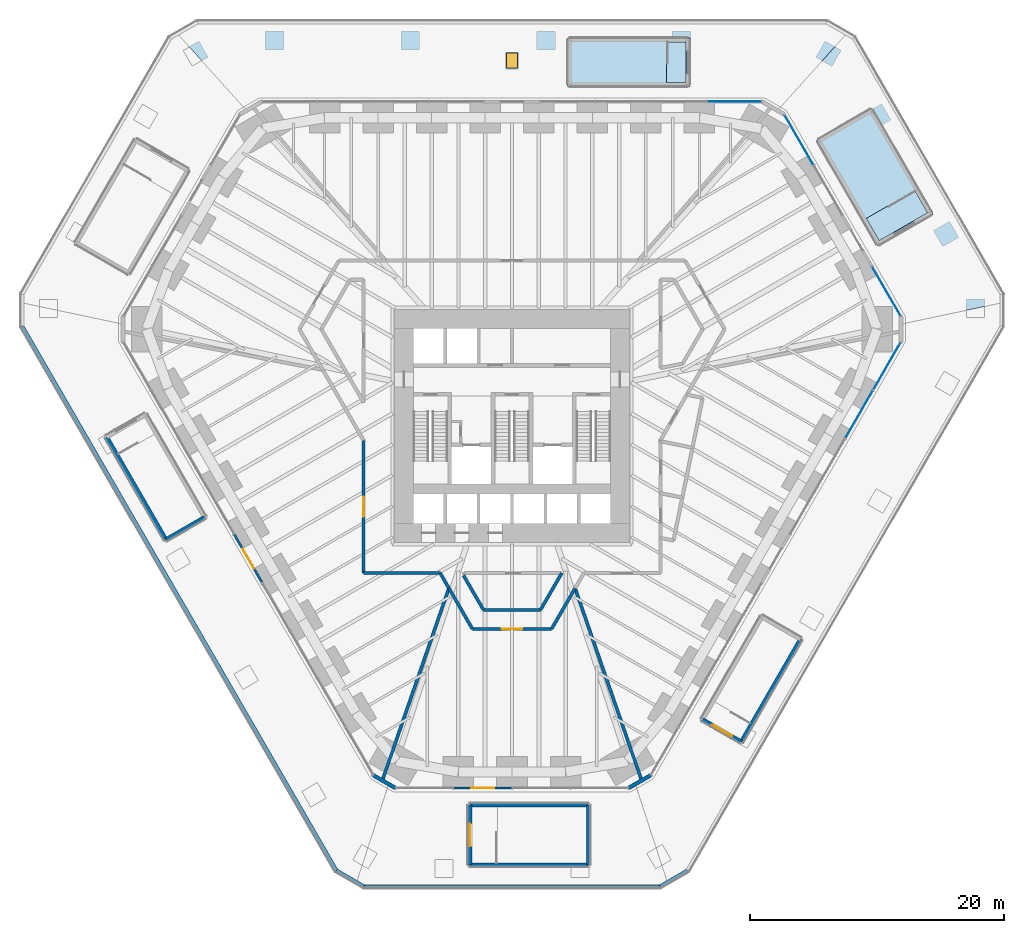
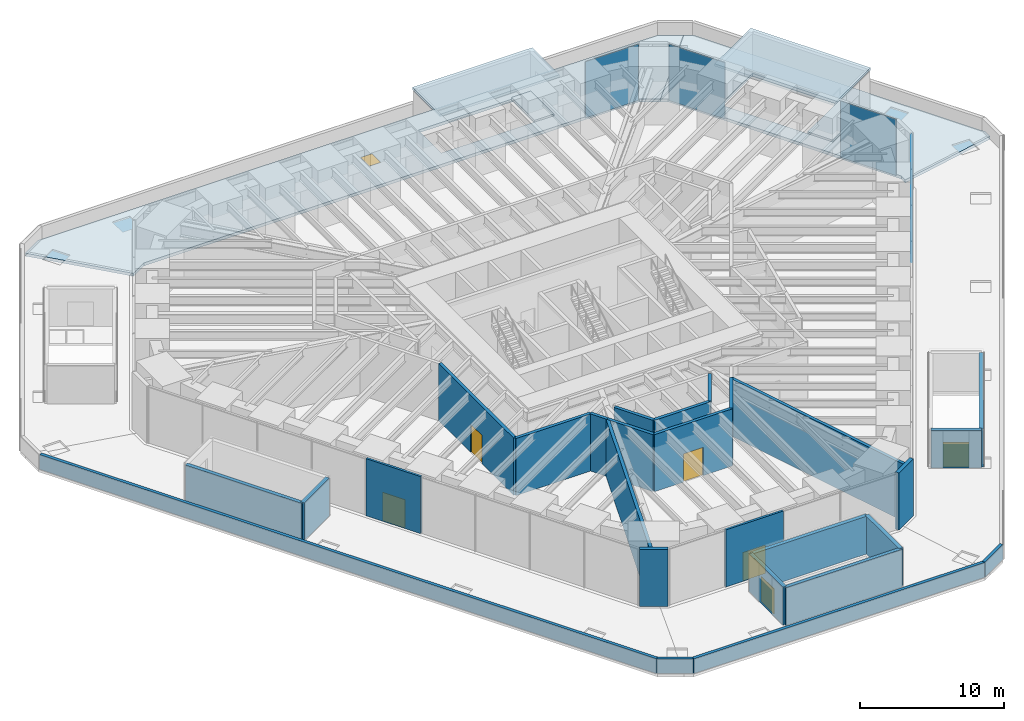
# One storey, part 10 of 20: 27 walls, 6 doors, 6 slabs, 5 plates, 1 window, 7 openings, 4 elements without a shape of their own.
"""IFC4 building model written with IfcOpenShell, lengths in metres."""

from ifc_helpers import new_model, si_unit, direction, frame, frame_2d, origin, origin_2d, place, context, subcontext, project, spatial, polyline, rectangle, outline, extrude, material, layer, layer_set, type_object, element, fill, aggregate, save


model = new_model("IFC4")

# Units and contexts
model_context = context("Model", 3, precision=1e-05, world=origin(), true_north=direction((0.0, 1.0)))
body_context = subcontext(model_context, "Body", "Model", "MODEL_VIEW")
ifc_project = project(units=[si_unit("LENGTHUNIT", "METRE"), si_unit("AREAUNIT", "SQUARE_METRE"), si_unit("VOLUMEUNIT", "CUBIC_METRE"), si_unit("PLANEANGLEUNIT", "RADIAN"), si_unit("MASSUNIT", "GRAM", prefix="KILO")], contexts=[model_context])

# Site, building, storey
site_placement = place(None, origin())
site = spatial("IfcSite", under=ifc_project, at=site_placement, CompositionType="ELEMENT")
building_placement = place(site_placement, origin())
building = spatial("IfcBuilding", under=site, at=building_placement, Name="Sandreach Pilgrim Tower", CompositionType="ELEMENT")
storey_placement = place(building_placement, frame((0.0, 0.0, 18.0)))
storey = spatial("IfcBuildingStorey", under=building, at=storey_placement, Name="L03", CompositionType="ELEMENT", Elevation=18.0)

# Curtain wall, plate
ifc_material_1 = material(Name="Aluminium framed curtain wall", Category="aluminium")
curtain_wall_type = type_object("IfcCurtainWallType", Name="Podium storefront curtain wall", PredefinedType="NOTDEFINED", material=ifc_material_1)
curtain_wall_1_placement = place(storey_placement, origin())
curtain_wall_1 = element("IfcCurtainWall", 1, at=curtain_wall_1_placement, inside=storey, type_object=curtain_wall_type, Name="CW-P L03 NB", PredefinedType="NOTDEFINED")
ifc_material_2 = material(Name="Laminated safety insulating glass unit 10.76 laminated + 16 argon + 10.76 laminated", Category="glass")
ifc_layer_1 = layer(ifc_material_2, 0.0380859375)
ifc_layer_set_1 = layer_set([ifc_layer_1], Name="CW-P panel")
plate_type = type_object("IfcPlateType", Name="CW-P panel", PredefinedType="CURTAIN_PANEL", material=ifc_layer_set_1)
plate_1_placement = place(storey_placement, frame((17.46875, 23.94873046875, 0.0), z_axis=(0.0, 0.0, 1.0), x_axis=(1.0, 0.0, 0.0)))
plate_1 = element("IfcPlate", 2, at=plate_1_placement, type_object=plate_type, Name="CW-P panel 4", PredefinedType="CURTAIN_PANEL", context=body_context, shape_type="SweptSolid", body=[
    extrude(rectangle(XDim=4.2666015625, YDim=0.0380859375, at=origin_2d()), origin(), (0.0, 0.0, 1.0), 4.77001953125),
])
aggregate(curtain_wall_1, [plate_1])

curtain_wall_2_placement = place(storey_placement, origin())
curtain_wall_2 = element("IfcCurtainWall", 3, at=curtain_wall_2_placement, inside=storey, type_object=curtain_wall_type, Name="CW-P L03 NEA", PredefinedType="NOTDEFINED")
plate_2_placement = place(storey_placement, frame((22.559326171875, 20.94775390625, 0.0), z_axis=(0.0, 0.0, 1.0), x_axis=(0.5, -0.866025403784, 0.0)))
plate_2 = element("IfcPlate", 4, at=plate_2_placement, type_object=plate_type, Name="CW-P panel 1", PredefinedType="CURTAIN_PANEL", context=body_context, shape_type="SweptSolid", body=[
    extrude(rectangle(XDim=4.48095703125, YDim=0.0380859375, at=origin_2d()), origin(), (0.0, 0.0, 1.0), 4.77001953125),
])
aggregate(curtain_wall_2, [plate_2])

curtain_wall_3_placement = place(storey_placement, origin())
curtain_wall_3 = element("IfcCurtainWall", 5, at=curtain_wall_3_placement, inside=storey, type_object=curtain_wall_type, Name="CW-P L03 NEB", PredefinedType="NOTDEFINED")
plate_3_placement = place(storey_placement, frame((29.4296875, 9.048095703125, 0.0), z_axis=(0.0, 0.0, 1.0), x_axis=(0.5, -0.866025403784, 0.0)))
plate_3 = element("IfcPlate", 6, at=plate_3_placement, type_object=plate_type, Name="CW-P panel 1", PredefinedType="CURTAIN_PANEL", context=body_context, shape_type="SweptSolid", body=[
    extrude(rectangle(XDim=4.446044921875, YDim=0.0380859375, at=origin_2d()), origin(), (0.0, 0.0, 1.0), 4.77001953125),
])
aggregate(curtain_wall_3, [plate_3])

# Curtain wall, plates
curtain_wall_4_placement = place(storey_placement, origin())
curtain_wall_4 = element("IfcCurtainWall", 7, at=curtain_wall_4_placement, inside=storey, type_object=curtain_wall_type, Name="CW-P L03 SEA", PredefinedType="NOTDEFINED")
plate_4_placement = place(storey_placement, frame((29.474609375, 3.154052734375, 0.0), z_axis=(0.0, 0.0, 1.0), x_axis=(-0.5, -0.866025403784, 0.0)))
plate_4 = element("IfcPlate", 8, at=plate_4_placement, type_object=plate_type, Name="CW-P panel 1", PredefinedType="CURTAIN_PANEL", context=body_context, shape_type="SweptSolid", body=[
    extrude(rectangle(XDim=4.2666015625, YDim=0.0380859375, at=origin_2d()), origin(), (0.0, 0.0, 1.0), 4.77001953125),
])
plate_5_placement = place(storey_placement, frame((27.297607421875, -0.61669921875, 0.0), z_axis=(0.0, 0.0, 1.0), x_axis=(-0.5, -0.866025403784, 0.0)))
plate_5 = element("IfcPlate", 9, at=plate_5_placement, type_object=plate_type, Name="CW-P panel 2", PredefinedType="CURTAIN_PANEL", context=body_context, shape_type="SweptSolid", body=[
    extrude(rectangle(XDim=4.301513671875, YDim=0.0380859375, at=origin_2d()), origin(), (0.0, 0.0, 1.0), 4.77001953125),
])
aggregate(curtain_wall_4, [plate_4, plate_5])

# Slab, opening, window
ifc_material_3 = material(Name="Concrete 8000 psi", Category="concrete")
ifc_layer_2 = layer(ifc_material_3, 0.25)
ifc_layer_set_2 = layer_set([ifc_layer_2], Name="Podium planted roof slab 250")
slab_type_1 = type_object("IfcSlabType", Name="Podium planted roof slab 250", PredefinedType="ROOF", material=ifc_layer_set_2)
slab_1_placement = place(storey_placement, frame((0.0, 0.0, -0.39990234375)))
slab_1 = element("IfcSlab", 10, at=slab_1_placement, inside=storey, type_object=slab_type_1, Name="Podium planted roof L03 N sector", PredefinedType="ROOF", context=body_context, shape_type="SweptSolid", body=[
    extrude(outline(polyline([(24.806640625, 30.310791015625), (26.394287109375, 29.394287109375), (21.115478515625, 23.515380859375), (19.84521484375, 24.248779296875), (-19.84521484375, 24.248779296875), (-21.115478515625, 23.515380859375), (-26.394287109375, 29.394287109375), (-24.806640625, 30.310791015625), (24.806640625, 30.310791015625)]), holes=[polyline([(4.6796875, 25.44873046875), (13.6796875, 25.44873046875), (13.6796875, 28.648681640625), (4.6796875, 28.648681640625), (4.6796875, 25.44873046875)])]), origin(), (0.0, 0.0, 1.0), 0.25),
])
opening_1_placement = place(slab_1_placement, frame((0.0, 27.1796875, 0.0)))
opening_1 = element("IfcOpeningElement", 11, at=opening_1_placement, cuts=slab_1, Name="Opening RH1", PredefinedType="OPENING", context=body_context, shape_type="SweptSolid", body=[
    extrude(rectangle(XDim=0.89990234375, YDim=1.199951171875, at=origin_2d()), origin(), (0.0, 0.0, 1.0), 0.25),
])
ifc_material_4 = material(Name="Insulated aluminium roof hatch", Category="aluminium")
window_type = type_object("IfcWindowType", Name="Roof access hatch", PartitioningType="SINGLE_PANEL", PredefinedType="SKYLIGHT", material=ifc_material_4)
window_placement = place(opening_1_placement, frame((0.0, 0.0, 0.199951171875)))
window = element("IfcWindow", 12, at=window_placement, inside=storey, type_object=window_type, Name="Roof access hatch L03", OverallHeight=1.199951171875, OverallWidth=0.89990234375, PartitioningType="SINGLE_PANEL", PredefinedType="SKYLIGHT", context=body_context, shape_type="SweptSolid", body=[
    extrude(rectangle(XDim=0.89990234375, YDim=1.199951171875, at=origin_2d()), origin(), (0.0, 0.0, 1.0), 0.050048828125),
])
fill(opening_1, window)

# Slabs
slab_2_placement = place(storey_placement, frame((0.0, 0.0, -0.39990234375)))
element("IfcSlab", 13, at=slab_2_placement, inside=storey, type_object=slab_type_1, Name="Podium planted roof L03 NE sector", PredefinedType="ROOF", context=body_context, shape_type="SweptSolid", body=[
    extrude(outline(polyline([(38.6533203125, 8.82763671875), (38.6533203125, 8.160888671875), (30.922607421875, 6.52880859375), (30.922607421875, 7.062255859375), (21.577392578125, 23.248779296875), (21.115478515625, 23.515380859375), (26.394287109375, 29.394287109375), (26.9716796875, 29.060791015625), (38.6533203125, 8.82763671875)]), holes=[polyline([(24.369873046875, 20.81201171875), (28.869873046875, 13.017822265625), (32.680419921875, 15.2177734375), (28.180419921875, 23.011962890625), (24.369873046875, 20.81201171875)])]), origin(), (0.0, 0.0, 1.0), 0.25),
])
ifc_material_5 = material(Name="Concrete 8000 psi", Category="concrete")
ifc_layer_3 = layer(ifc_material_5, 0.25)
ifc_layer_set_3 = layer_set([ifc_layer_3], Name="Podium stair landing 250")
slab_type_2 = type_object("IfcSlabType", Name="Podium stair landing 250", PredefinedType="LANDING", material=ifc_layer_set_3)
slab_3_placement = place(storey_placement, frame((0.0, 0.0, -0.25)))
element("IfcSlab", 14, at=slab_3_placement, inside=storey, type_object=slab_type_2, Name="Stair ST4 top landing", PredefinedType="LANDING", context=body_context, shape_type="SweptSolid", body=[
    extrude(outline(polyline([(28.869873046875, 13.017822265625), (27.857421875, 14.771484375), (31.667724609375, 16.971435546875), (32.680419921875, 15.2177734375), (28.869873046875, 13.017822265625)])), origin(), (0.0, 0.0, 1.0), 0.25),
])
slab_4_placement = place(storey_placement, frame((0.0, 0.0, -0.25)))
element("IfcSlab", 15, at=slab_4_placement, inside=storey, type_object=slab_type_2, Name="Stair ST7 top landing", PredefinedType="LANDING", context=body_context, shape_type="SweptSolid", body=[
    extrude(outline(polyline([(13.6796875, 25.44873046875), (12.15478515625, 25.44873046875), (12.15478515625, 28.648681640625), (13.6796875, 28.648681640625), (13.6796875, 25.44873046875)])), origin(), (0.0, 0.0, 1.0), 0.25),
])
ifc_material_6 = material(Name="Concrete 8000 psi", Category="concrete")
ifc_layer_4 = layer(ifc_material_6, 0.199951171875)
ifc_layer_set_4 = layer_set([ifc_layer_4], Name="Stair head-house roof 200")
slab_type_3 = type_object("IfcSlabType", Name="Stair head-house roof 200", PredefinedType="ROOF", material=ifc_layer_set_4)
slab_5_placement = place(storey_placement, frame((0.0, 0.0, 3.199951171875)))
element("IfcSlab", 16, at=slab_5_placement, inside=storey, type_object=slab_type_3, Name="Stair ST4 head-house roof", PredefinedType="ROOF", context=body_context, shape_type="SweptSolid", body=[
    extrude(outline(polyline([(28.760009765625, 12.60791015625), (23.9599609375, 20.921875), (28.2900390625, 23.421875), (33.090087890625, 15.10791015625), (28.760009765625, 12.60791015625)])), origin(), (0.0, 0.0, 1.0), 0.199951171875),
])
slab_6_placement = place(storey_placement, frame((0.0, 0.0, 3.199951171875)))
element("IfcSlab", 17, at=slab_6_placement, inside=storey, type_object=slab_type_3, Name="Stair ST7 head-house roof", PredefinedType="ROOF", context=body_context, shape_type="SweptSolid", body=[
    extrude(outline(polyline([(13.979736328125, 25.148681640625), (4.379638671875, 25.148681640625), (4.379638671875, 28.94873046875), (13.979736328125, 28.94873046875), (13.979736328125, 25.148681640625)])), origin(), (0.0, 0.0, 1.0), 0.199951171875),
])

# Wall, opening, door
ifc_material_7 = material(Name="Glazed aluminium screen", Category="aluminium")
ifc_layer_5 = layer(ifc_material_7, 0.179931640625)
ifc_layer_set_5 = layer_set([ifc_layer_5], Name="Glazed entrance screen wall")
wall_type_1 = type_object("IfcWallType", Name="Glazed entrance screen wall", PredefinedType="SOLIDWALL", material=ifc_layer_set_5)
wall_1_placement = place(storey_placement, frame((0.0, -30.010986328125, 0.0), z_axis=(0.0, 0.0, 1.0), x_axis=(-1.0, 0.0, 0.0)))
wall_1 = element("IfcWall", 18, at=wall_1_placement, inside=storey, type_object=wall_type_1, Name="Terrace screen wall L03 S", PredefinedType="SOLIDWALL", context=body_context, shape_type="SweptSolid", body=[
    extrude(rectangle(XDim=4.5859375, YDim=0.179931640625, at=frame_2d((2.29296875, 0.0))), origin(), (0.0, 0.0, 1.0), 4.840087890625),
])
opening_2_placement = place(wall_1_placement, frame((1.39306640625, 0.0, 0.0)))
opening_2 = element("IfcOpeningElement", 19, at=opening_2_placement, cuts=wall_1, Name="Opening D18T-S1", PredefinedType="OPENING", context=body_context, shape_type="SweptSolid", body=[
    extrude(rectangle(XDim=1.800048828125, YDim=2.39990234375, at=frame_2d((0.89990234375, 1.199951171875))), frame((0.0, 0.08984375, 0.0), z_axis=(0.0, -1.0, 0.0), x_axis=(1.0, 0.0, 0.0)), (0.0, 0.0, 1.0), 0.179931640625),
])
ifc_material_8 = material(Name="Aluminium and glass", Category="aluminium")
door_type_1 = type_object("IfcDoorType", Name="Terrace double door", OperationType="DOUBLE_DOOR_SINGLE_SWING", PredefinedType="DOOR", material=ifc_material_8)
door_1_placement = place(opening_2_placement, origin())
door_1 = element("IfcDoor", 20, at=door_1_placement, inside=storey, type_object=door_type_1, Name="Terrace door L03 S1", OperationType="SINGLE_SWING_LEFT", OverallHeight=2.39990234375, OverallWidth=1.800048828125, PredefinedType="DOOR", context=body_context, shape_type="SweptSolid", body=[
    extrude(rectangle(XDim=1.800048828125, YDim=2.39990234375, at=frame_2d((0.89990234375, 1.199951171875))), frame((0.0, 0.02490234375, 0.0), z_axis=(0.0, -1.0, 0.0), x_axis=(1.0, 0.0, 0.0)), (0.0, 0.0, 1.0), 0.050048828125),
])
fill(opening_2, door_1)

wall_2_placement = place(storey_placement, frame((-19.647216796875, -13.8671875, 0.0), z_axis=(0.0, 0.0, 1.0), x_axis=(-0.500001230415, 0.866024693403, 0.0)))
wall_2 = element("IfcWall", 21, at=wall_2_placement, inside=storey, type_object=wall_type_1, Name="Terrace screen wall L03 SW", PredefinedType="SOLIDWALL", context=body_context, shape_type="SweptSolid", body=[
    extrude(rectangle(XDim=4.37158203125, YDim=0.179931640625, at=frame_2d((2.185791015625, 0.0))), origin(), (0.0, 0.0, 1.0), 4.840087890625),
])
opening_3_placement = place(wall_2_placement, frame((1.285888671875, 0.0, 0.0)))
opening_3 = element("IfcOpeningElement", 22, at=opening_3_placement, cuts=wall_2, Name="Opening D18T-SW1", PredefinedType="OPENING", context=body_context, shape_type="SweptSolid", body=[
    extrude(rectangle(XDim=1.800048828125, YDim=2.39990234375, at=frame_2d((0.89990234375, 1.199951171875))), frame((0.0, 0.08984375, 0.0), z_axis=(0.0, -1.0, 0.0), x_axis=(1.0, 0.0, 0.0)), (0.0, 0.0, 1.0), 0.179931640625),
])
door_2_placement = place(opening_3_placement, origin())
door_2 = element("IfcDoor", 23, at=door_2_placement, inside=storey, type_object=door_type_1, Name="Terrace door L03 SW1", OperationType="SINGLE_SWING_LEFT", OverallHeight=2.39990234375, OverallWidth=1.800048828125, PredefinedType="DOOR", context=body_context, shape_type="SweptSolid", body=[
    extrude(rectangle(XDim=1.800048828125, YDim=2.39990234375, at=frame_2d((0.89990234375, 1.199951171875))), frame((0.0, 0.02490234375, 0.0), z_axis=(0.0, -1.0, 0.0), x_axis=(1.0, 0.0, 0.0)), (0.0, 0.0, 1.0), 0.050048828125),
])
fill(opening_3, door_2)

# Wall
ifc_material_9 = material(Name="Acoustic gypsum board wall, double frame", Category="gypsum")
ifc_layer_6 = layer(ifc_material_9, 0.25)
ifc_layer_set_6 = layer_set([ifc_layer_6], Name="Hall partition 250")
wall_type_2 = type_object("IfcWallType", Name="Hall partition 250", PredefinedType="PARTITIONING", material=ifc_layer_set_6)
wall_3_placement = place(storey_placement, frame((-11.669921875, -13.1201171875, 0.0), z_axis=(0.0, 0.0, 1.0), x_axis=(1.0, 0.0, 0.0)))
element("IfcWall", 24, at=wall_3_placement, inside=storey, type_object=wall_type_2, Name="Hall partition L03-007", PredefinedType="PARTITIONING", context=body_context, shape_type="SweptSolid", body=[
    extrude(rectangle(XDim=6.030029296875, YDim=0.25, at=frame_2d((3.01513671875, 0.0))), origin(), (0.0, 0.0, 1.0), 4.840087890625),
])

# Wall, opening, door
wall_4_placement = place(storey_placement, frame((-11.669921875, -2.679931640625, 0.0), z_axis=(0.0, 0.0, 1.0), x_axis=(0.0, -1.0, 0.0)))
wall_4 = element("IfcWall", 25, at=wall_4_placement, inside=storey, type_object=wall_type_2, Name="Hall partition L03-008", PredefinedType="PARTITIONING", context=body_context, shape_type="SweptSolid", body=[
    extrude(rectangle(XDim=10.440185546875, YDim=0.25, at=frame_2d((5.22021484375, 0.0))), origin(), (0.0, 0.0, 1.0), 4.840087890625),
])
opening_4_placement = place(wall_4_placement, frame((4.419921875, 0.0, 0.0)))
opening_4 = element("IfcOpeningElement", 26, at=opening_4_placement, cuts=wall_4, Name="Opening D16-05", PredefinedType="OPENING", context=body_context, shape_type="SweptSolid", body=[
    extrude(rectangle(XDim=1.60009765625, YDim=2.39990234375, at=frame_2d((0.800048828125, 1.199951171875))), frame((0.0, 0.125, 0.0), z_axis=(0.0, -1.0, 0.0), x_axis=(1.0, 0.0, 0.0)), (0.0, 0.0, 1.0), 0.25),
])
ifc_material_10 = material(Name="Steel door and frame", Category="steel")
door_type_2 = type_object("IfcDoorType", Name="Hall double door", OperationType="DOUBLE_DOOR_SINGLE_SWING", PredefinedType="DOOR", material=ifc_material_10)
door_3_placement = place(opening_4_placement, origin())
door_3 = element("IfcDoor", 27, at=door_3_placement, inside=storey, type_object=door_type_2, Name="Door 0305", OperationType="DOUBLE_DOOR_SINGLE_SWING", OverallHeight=2.39990234375, OverallWidth=1.60009765625, PredefinedType="DOOR", context=body_context, shape_type="SweptSolid", body=[
    extrude(rectangle(XDim=1.60009765625, YDim=2.39990234375, at=frame_2d((0.800048828125, 1.199951171875))), frame((0.0, 0.02490234375, 0.0), z_axis=(0.0, -1.0, 0.0), x_axis=(1.0, 0.0, 0.0)), (0.0, 0.0, 1.0), 0.050048828125),
])
fill(opening_4, door_3)

# Walls
wall_5_placement = place(storey_placement, frame((-10.2001953125, -29.441650390625, 0.0), z_axis=(0.0, 0.0, 1.0), x_axis=(0.327243042936, 0.944940204907, 0.0)))
element("IfcWall", 28, at=wall_5_placement, inside=storey, type_object=wall_type_2, Name="Hall partition L03-011", PredefinedType="PARTITIONING", context=body_context, shape_type="SweptSolid", body=[
    extrude(rectangle(XDim=16.01318359375, YDim=0.25, at=frame_2d((8.006591796875, 0.0))), origin(), (0.0, 0.0, 1.0), 4.840087890625),
])
wall_6_placement = place(storey_placement, frame((-5.64013671875, -13.119873046875, 0.0), z_axis=(0.0, 0.0, 1.0), x_axis=(0.496177297153, -0.868221221688, 0.0)))
element("IfcWall", 29, at=wall_6_placement, inside=storey, type_object=wall_type_2, Name="Hall partition L03-014", PredefinedType="PARTITIONING", context=body_context, shape_type="SweptSolid", body=[
    extrude(rectangle(XDim=1.370849609375, YDim=0.25, at=frame_2d((0.685546875, 0.0))), origin(), (0.0, 0.0, 1.0), 4.840087890625),
])
wall_7_placement = place(storey_placement, frame((-3.110107421875, -17.510009765625, 0.0), z_axis=(0.0, 0.0, 1.0), x_axis=(-0.499272571119, 0.8664449779, 0.0)))
element("IfcWall", 30, at=wall_7_placement, inside=storey, type_object=wall_type_2, Name="Hall partition L03-017", PredefinedType="PARTITIONING", context=body_context, shape_type="SweptSolid", body=[
    extrude(rectangle(XDim=3.6962890625, YDim=0.25, at=frame_2d((1.84814453125, 0.0))), origin(), (0.0, 0.0, 1.0), 4.840087890625),
])

# Wall, opening, door
wall_8_placement = place(storey_placement, frame((-3.110107421875, -17.510009765625, 0.0), z_axis=(0.0, 0.0, 1.0), x_axis=(1.0, 0.0, 0.0)))
wall_8 = element("IfcWall", 31, at=wall_8_placement, inside=storey, type_object=wall_type_2, Name="Hall partition L03-018", PredefinedType="PARTITIONING", context=body_context, shape_type="SweptSolid", body=[
    extrude(rectangle(XDim=6.22021484375, YDim=0.25, at=frame_2d((3.110107421875, 0.0))), origin(), (0.0, 0.0, 1.0), 4.840087890625),
])
opening_5_placement = place(wall_8_placement, frame((2.31005859375, 0.0, 0.0)))
opening_5 = element("IfcOpeningElement", 32, at=opening_5_placement, cuts=wall_8, Name="Opening D16-04", PredefinedType="OPENING", context=body_context, shape_type="SweptSolid", body=[
    extrude(rectangle(XDim=1.60009765625, YDim=2.39990234375, at=frame_2d((0.800048828125, 1.199951171875))), frame((0.0, 0.125, 0.0), z_axis=(0.0, -1.0, 0.0), x_axis=(1.0, 0.0, 0.0)), (0.0, 0.0, 1.0), 0.25),
])
door_4_placement = place(opening_5_placement, origin())
door_4 = element("IfcDoor", 33, at=door_4_placement, inside=storey, type_object=door_type_2, Name="Door 0304", OperationType="DOUBLE_DOOR_SINGLE_SWING", OverallHeight=2.39990234375, OverallWidth=1.60009765625, PredefinedType="DOOR", context=body_context, shape_type="SweptSolid", body=[
    extrude(rectangle(XDim=1.60009765625, YDim=2.39990234375, at=frame_2d((0.800048828125, 1.199951171875))), frame((0.0, 0.02490234375, 0.0), z_axis=(0.0, -1.0, 0.0), x_axis=(1.0, 0.0, 0.0)), (0.0, 0.0, 1.0), 0.050048828125),
])
fill(opening_5, door_4)

# Walls
wall_9_placement = place(storey_placement, frame((-2.239990234375, -16.010009765625, 0.0), z_axis=(0.0, 0.0, 1.0), x_axis=(-0.501309724655, 0.865267912248, 0.0)))
element("IfcWall", 34, at=wall_9_placement, inside=storey, type_object=wall_type_2, Name="Hall partition L03-019", PredefinedType="PARTITIONING", context=body_context, shape_type="SweptSolid", body=[
    extrude(rectangle(XDim=3.1318359375, YDim=0.25, at=frame_2d((1.56591796875, 0.0))), origin(), (0.0, 0.0, 1.0), 4.840087890625),
])
wall_10_placement = place(storey_placement, frame((2.239990234375, -16.010009765625, 0.0), z_axis=(0.0, 0.0, 1.0), x_axis=(-1.0, 0.0, 0.0)))
element("IfcWall", 35, at=wall_10_placement, inside=storey, type_object=wall_type_2, Name="Hall partition L03-020", PredefinedType="PARTITIONING", context=body_context, shape_type="SweptSolid", body=[
    extrude(rectangle(XDim=4.47998046875, YDim=0.25, at=frame_2d((2.239990234375, 0.0))), origin(), (0.0, 0.0, 1.0), 4.840087890625),
])
wall_11_placement = place(storey_placement, frame((3.110107421875, -17.510009765625, 0.0), z_axis=(0.0, 0.0, 1.0), x_axis=(0.50047896955, 0.865748693928, 0.0)))
element("IfcWall", 36, at=wall_11_placement, inside=storey, type_object=wall_type_2, Name="Hall partition L03-021", PredefinedType="PARTITIONING", context=body_context, shape_type="SweptSolid", body=[
    extrude(rectangle(XDim=3.696044921875, YDim=0.25, at=frame_2d((1.84814453125, 0.0))), origin(), (0.0, 0.0, 1.0), 4.840087890625),
])
wall_12_placement = place(storey_placement, frame((3.909912109375, -13.1201171875, 0.0), z_axis=(0.0, 0.0, 1.0), x_axis=(-0.500323906295, -0.865838315616, 0.0)))
element("IfcWall", 37, at=wall_12_placement, inside=storey, type_object=wall_type_2, Name="Hall partition L03-022", PredefinedType="PARTITIONING", context=body_context, shape_type="SweptSolid", body=[
    extrude(rectangle(XDim=3.337646484375, YDim=0.25, at=frame_2d((1.6689453125, 0.0))), origin(), (0.0, 0.0, 1.0), 4.840087890625),
])
wall_13_placement = place(storey_placement, frame((10.2001953125, -29.441650390625, 0.0), z_axis=(0.0, 0.0, 1.0), x_axis=(-0.327243042936, 0.944940204907, 0.0)))
element("IfcWall", 38, at=wall_13_placement, inside=storey, type_object=wall_type_2, Name="Hall partition L03-026", PredefinedType="PARTITIONING", context=body_context, shape_type="SweptSolid", body=[
    extrude(rectangle(XDim=16.01318359375, YDim=0.25, at=frame_2d((8.006591796875, 0.0))), origin(), (0.0, 0.0, 1.0), 4.840087890625),
])
ifc_material_11 = material(Name="Concrete parapet with terracotta coping", Category="masonry")
ifc_layer_7 = layer(ifc_material_11, 0.25)
ifc_layer_set_7 = layer_set([ifc_layer_7], Name="Setback parapet")
wall_type_3 = type_object("IfcWallType", Name="Setback parapet", PredefinedType="PARAPET", material=ifc_layer_set_7)
wall_14_placement = place(storey_placement, frame((-38.50537109375, 6.303466796875, -0.14990234375), z_axis=(0.0, 0.0, 1.0), x_axis=(0.500000964025, -0.866024847203, 0.0)))
element("IfcWall", 39, at=wall_14_placement, inside=storey, type_object=wall_type_3, Name="Setback parapet L03 4", PredefinedType="PARAPET", context=body_context, shape_type="SweptSolid", body=[
    extrude(rectangle(XDim=49.42333984375, YDim=0.25, at=frame_2d((24.711669921875, 0.0))), origin(), (0.0, 0.0, 1.0), 1.25),
])
wall_15_placement = place(storey_placement, frame((-13.793701171875, -36.498291015625, -0.14990234375), z_axis=(0.0, 0.0, 1.0), x_axis=(0.865649880117, -0.500649862731, 0.0)))
element("IfcWall", 40, at=wall_15_placement, inside=storey, type_object=wall_type_3, Name="Setback parapet L03 5", PredefinedType="PARAPET", context=body_context, shape_type="SweptSolid", body=[
    extrude(rectangle(XDim=2.490966796875, YDim=0.25, at=frame_2d((1.24560546875, 0.0))), origin(), (0.0, 0.0, 1.0), 1.25),
])
wall_16_placement = place(storey_placement, frame((-11.637451171875, -37.745361328125, -0.14990234375), z_axis=(0.0, 0.0, 1.0), x_axis=(1.0, 0.0, 0.0)))
element("IfcWall", 41, at=wall_16_placement, inside=storey, type_object=wall_type_3, Name="Setback parapet L03 6", PredefinedType="PARAPET", context=body_context, shape_type="SweptSolid", body=[
    extrude(rectangle(XDim=23.27490234375, YDim=0.25, at=frame_2d((11.637451171875, 0.0))), origin(), (0.0, 0.0, 1.0), 1.25),
])
wall_17_placement = place(storey_placement, frame((11.637451171875, -37.745361328125, -0.14990234375), z_axis=(0.0, 0.0, 1.0), x_axis=(0.865649880117, 0.500649862731, 0.0)))
element("IfcWall", 42, at=wall_17_placement, inside=storey, type_object=wall_type_3, Name="Setback parapet L03 7", PredefinedType="PARAPET", context=body_context, shape_type="SweptSolid", body=[
    extrude(rectangle(XDim=2.490966796875, YDim=0.25, at=frame_2d((1.24560546875, 0.0))), origin(), (0.0, 0.0, 1.0), 1.25),
])
ifc_material_12 = material(Name="Concrete 8000 psi", Category="concrete")
ifc_layer_8 = layer(ifc_material_12, 0.300048828125)
ifc_layer_set_8 = layer_set([ifc_layer_8], Name="Stair head-house wall 300")
wall_type_4 = type_object("IfcWallType", Name="Stair head-house wall 300", PredefinedType="SHEAR", material=ifc_layer_set_8)
wall_18_placement = place(storey_placement, frame((-3.311279296875, -31.36083984375, 0.0), z_axis=(0.0, 0.0, 1.0), x_axis=(1.0, 0.0, 0.0)))
element("IfcWall", 43, at=wall_18_placement, inside=storey, type_object=wall_type_4, Name="Stair ST5 head-house wall 1", PredefinedType="SHEAR", context=body_context, shape_type="SweptSolid", body=[
    extrude(rectangle(XDim=9.300048828125, YDim=0.300048828125, at=frame_2d((4.64990234375, 0.0))), origin(), (0.0, 0.0, 1.0), 3.199951171875),
])
wall_19_placement = place(storey_placement, frame((5.98876953125, -31.36083984375, 0.0), z_axis=(0.0, 0.0, 1.0), x_axis=(0.0, -1.0, 0.0)))
element("IfcWall", 44, at=wall_19_placement, inside=storey, type_object=wall_type_4, Name="Stair ST5 head-house wall 2", PredefinedType="SHEAR", context=body_context, shape_type="SweptSolid", body=[
    extrude(rectangle(XDim=4.699951171875, YDim=0.300048828125, at=frame_2d((2.35009765625, 0.0))), origin(), (0.0, 0.0, 1.0), 3.199951171875),
])
wall_20_placement = place(storey_placement, frame((5.98876953125, -36.060791015625, 0.0), z_axis=(0.0, 0.0, 1.0), x_axis=(-1.0, 0.0, 0.0)))
element("IfcWall", 45, at=wall_20_placement, inside=storey, type_object=wall_type_4, Name="Stair ST5 head-house wall 3", PredefinedType="SHEAR", context=body_context, shape_type="SweptSolid", body=[
    extrude(rectangle(XDim=9.300048828125, YDim=0.300048828125, at=frame_2d((4.64990234375, 0.0))), origin(), (0.0, 0.0, 1.0), 3.199951171875),
])

# Wall, opening, door
wall_21_placement = place(storey_placement, frame((-3.311279296875, -36.060791015625, 0.0), z_axis=(0.0, 0.0, 1.0), x_axis=(0.0, 1.0, 0.0)))
wall_21 = element("IfcWall", 46, at=wall_21_placement, inside=storey, type_object=wall_type_4, Name="Stair ST5 head-house wall 4", PredefinedType="SHEAR", context=body_context, shape_type="SweptSolid", body=[
    extrude(rectangle(XDim=4.699951171875, YDim=0.300048828125, at=frame_2d((2.35009765625, 0.0))), origin(), (0.0, 0.0, 1.0), 3.199951171875),
])
opening_6_placement = place(wall_21_placement, frame((1.449951171875, 0.0, 0.0)))
opening_6 = element("IfcOpeningElement", 47, at=opening_6_placement, cuts=wall_21, Name="Opening D18R-ST5", PredefinedType="OPENING", context=body_context, shape_type="SweptSolid", body=[
    extrude(rectangle(XDim=1.800048828125, YDim=2.10009765625, at=frame_2d((0.89990234375, 1.050048828125))), frame((0.0, 0.14990234375, 0.0), z_axis=(0.0, -1.0, 0.0), x_axis=(1.0, 0.0, 0.0)), (0.0, 0.0, 1.0), 0.300048828125),
])
ifc_material_13 = material(Name="Steel door and frame", Category="steel")
door_type_3 = type_object("IfcDoorType", Name="Head-house door", OperationType="DOUBLE_DOOR_SINGLE_SWING", PredefinedType="DOOR", material=ifc_material_13)
door_5_placement = place(opening_6_placement, origin())
door_5 = element("IfcDoor", 48, at=door_5_placement, inside=storey, type_object=door_type_3, Name="Head-house door ST5 L03", OperationType="DOUBLE_DOOR_SINGLE_SWING", OverallHeight=2.10009765625, OverallWidth=1.800048828125, PredefinedType="DOOR", context=body_context, shape_type="SweptSolid", body=[
    extrude(rectangle(XDim=1.800048828125, YDim=2.10009765625, at=frame_2d((0.89990234375, 1.050048828125))), frame((0.0, 0.02490234375, 0.0), z_axis=(0.0, -1.0, 0.0), x_axis=(1.0, 0.0, 0.0)), (0.0, 0.0, 1.0), 0.050048828125),
])
fill(opening_6, door_5)

# Wall
wall_22_placement = place(storey_placement, frame((22.675537109375, -18.322265625, 0.0), z_axis=(0.0, 0.0, 1.0), x_axis=(-0.499995904083, -0.86602776855, 0.0)))
element("IfcWall", 49, at=wall_22_placement, inside=storey, type_object=wall_type_4, Name="Stair ST8 head-house wall 3", PredefinedType="SHEAR", context=body_context, shape_type="SweptSolid", body=[
    extrude(rectangle(XDim=9.2998046875, YDim=0.300048828125, at=frame_2d((4.64990234375, 0.0))), origin(), (0.0, 0.0, 1.0), 3.199951171875),
])

# Wall, opening, door
wall_23_placement = place(storey_placement, frame((18.025634765625, -26.376220703125, 0.0), z_axis=(0.0, 0.0, 1.0), x_axis=(-0.866036909293, 0.499980071345, 0.0)))
wall_23 = element("IfcWall", 50, at=wall_23_placement, inside=storey, type_object=wall_type_4, Name="Stair ST8 head-house wall 4", PredefinedType="SHEAR", context=body_context, shape_type="SweptSolid", body=[
    extrude(rectangle(XDim=3.500244140625, YDim=0.300048828125, at=frame_2d((1.75, 0.0))), origin(), (0.0, 0.0, 1.0), 3.199951171875),
])
opening_7_placement = place(wall_23_placement, frame((0.85009765625, 0.0, 0.0)))
opening_7 = element("IfcOpeningElement", 51, at=opening_7_placement, cuts=wall_23, Name="Opening D18R-ST8", PredefinedType="OPENING", context=body_context, shape_type="SweptSolid", body=[
    extrude(rectangle(XDim=1.800048828125, YDim=2.10009765625, at=frame_2d((0.89990234375, 1.050048828125))), frame((0.0, 0.14990234375, 0.0), z_axis=(0.0, -1.0, 0.0), x_axis=(1.0, 0.0, 0.0)), (0.0, 0.0, 1.0), 0.300048828125),
])
door_6_placement = place(opening_7_placement, origin())
door_6 = element("IfcDoor", 52, at=door_6_placement, inside=storey, type_object=door_type_3, Name="Head-house door ST8 L03", OperationType="DOUBLE_DOOR_SINGLE_SWING", OverallHeight=2.10009765625, OverallWidth=1.800048828125, PredefinedType="DOOR", context=body_context, shape_type="SweptSolid", body=[
    extrude(rectangle(XDim=1.800048828125, YDim=2.10009765625, at=frame_2d((0.89990234375, 1.050048828125))), frame((0.0, 0.02490234375, 0.0), z_axis=(0.0, -1.0, 0.0), x_axis=(1.0, 0.0, 0.0)), (0.0, 0.0, 1.0), 0.050048828125),
])
fill(opening_7, door_6)

# Walls
wall_24_placement = place(storey_placement, frame((-24.17431640625, -8.7265625, 0.0), z_axis=(0.0, 0.0, 1.0), x_axis=(-0.866019471182, -0.500010275428, 0.0)))
element("IfcWall", 53, at=wall_24_placement, inside=storey, type_object=wall_type_4, Name="Stair ST9 head-house wall 2", PredefinedType="SHEAR", context=body_context, shape_type="SweptSolid", body=[
    extrude(rectangle(XDim=3.5, YDim=0.300048828125, at=frame_2d((1.75, 0.0))), origin(), (0.0, 0.0, 1.0), 3.199951171875),
])
wall_25_placement = place(storey_placement, frame((-27.205322265625, -10.4765625, 0.0), z_axis=(0.0, 0.0, 1.0), x_axis=(-0.499984536904, 0.866034331223, 0.0)))
element("IfcWall", 54, at=wall_25_placement, inside=storey, type_object=wall_type_4, Name="Stair ST9 head-house wall 3", PredefinedType="SHEAR", context=body_context, shape_type="SweptSolid", body=[
    extrude(rectangle(XDim=9.300048828125, YDim=0.300048828125, at=frame_2d((4.64990234375, 0.0))), origin(), (0.0, 0.0, 1.0), 3.199951171875),
])
ifc_material_14 = material(Name="Terracotta rainscreen on concrete", Category="masonry")
ifc_layer_9 = layer(ifc_material_14, 0.300048828125)
ifc_layer_set_9 = layer_set([ifc_layer_9], Name="Terracotta chamfer pier")
wall_type_5 = type_object("IfcWallType", Name="Terracotta chamfer pier", PredefinedType="SOLIDWALL", material=ifc_layer_set_9)
for number, where, z_axis, x_axis, name in (
    (55, (10.904052734375, -29.010986328125, 0.0), (0.0, 0.0, 1.0), (-0.866010750942, -0.50002537861, 0.0), "Chamfer pier L03 SE"),
    (56, (-9.172119140625, -30.010986328125, 0.0), (0.0, 0.0, 1.0), (-0.866010750942, 0.50002537861, 0.0), "Chamfer pier L03 S"),
):
    element("IfcWall", number, at=place(storey_placement, frame(where, z_axis=z_axis, x_axis=x_axis)), inside=storey, type_object=wall_type_5, Name=name, PredefinedType="SOLIDWALL", context=body_context, shape_type="SweptSolid", body=[
        extrude(rectangle(XDim=2.0, YDim=0.300048828125, at=frame_2d((1.0, 0.0))), origin(), (0.0, 0.0, 1.0), 4.840087890625),
    ])

save(model, "model.ifc")
